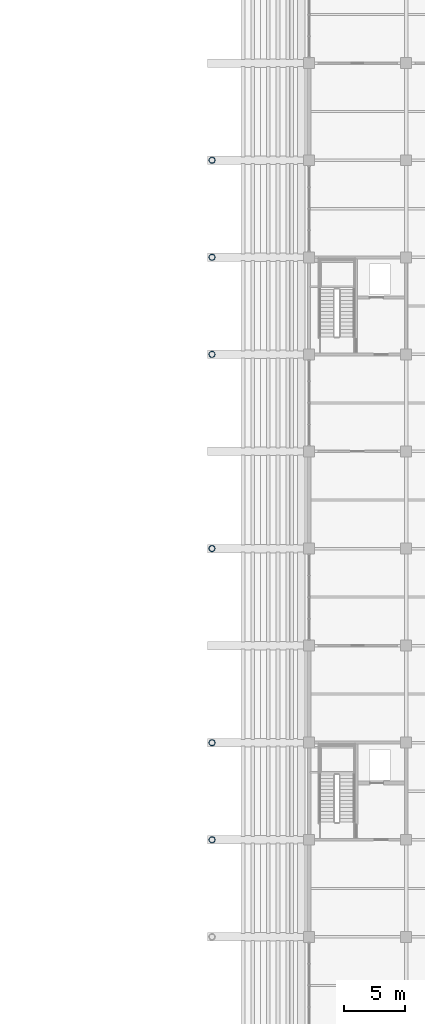
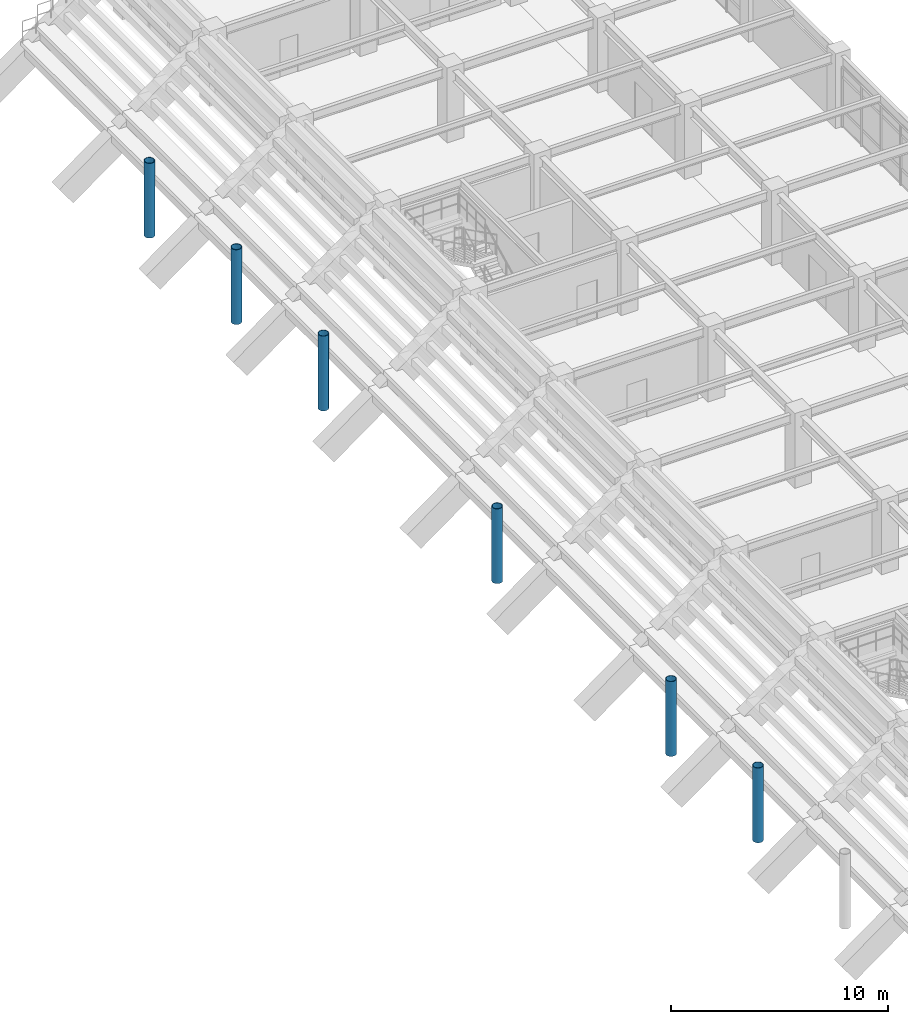
# One storey, part 6 of 118: 6 columns.
"""IFC4 building model written with IfcOpenShell, lengths in metres."""

from ifc_helpers import new_model, si_unit, direction, frame, origin, origin_2d, place, context, subcontext, project, spatial, hollow_circle, extrude, material, material_profile, profile_set, type_object, element, save


model = new_model("IFC4")

# Units and contexts
model_context = context("Model", 3, precision=1e-05, world=origin(), true_north=direction((0.0, 1.0)))
body_context = subcontext(model_context, "Body", "Model", "MODEL_VIEW")
ifc_project = project(units=[si_unit("LENGTHUNIT", "METRE"), si_unit("AREAUNIT", "SQUARE_METRE"), si_unit("VOLUMEUNIT", "CUBIC_METRE"), si_unit("PLANEANGLEUNIT", "RADIAN"), si_unit("MASSUNIT", "GRAM", prefix="KILO")], contexts=[model_context])

# Site, building, storey
site_placement = place(None, origin())
site = spatial("IfcSite", under=ifc_project, at=site_placement, CompositionType="ELEMENT")
building_placement = place(site_placement, origin())
building = spatial("IfcBuilding", under=site, at=building_placement, Name="Haebicheon Civic Stadium", CompositionType="ELEMENT")
storey_placement = place(building_placement, frame((0.0, 0.0, 14.39990234375)))
storey = spatial("IfcBuildingStorey", under=building, at=storey_placement, Name="L04", CompositionType="ELEMENT", Elevation=14.39990234375)

# Columns
ifc_material = material(Name="White painted steel SM490", Category="steel")
ifc_material_profile = material_profile(ifc_material, hollow_circle(Radius=0.25390625, WallThickness=0.02490234375, at=origin_2d()), Name="CHS-508.0x25.0")
ifc_profile_set = profile_set([ifc_material_profile], Name="White painted steel SM490")
column_type = type_object("IfcColumnType", Name="COL-ST-CHS508", PredefinedType="COLUMN", material=ifc_profile_set)
for number, where, z_axis, x_axis, name in (
    (1, (136.0, 64.0, 0.0), (0.0, 0.0, 1.0), (1.0, 0.0, 0.0), "Bowl/canopy support column 136/64 (L04)"),
    (2, (136.0, 72.0, 0.0), (0.0, 0.0, 1.0), (1.0, 0.0, 0.0), "Bowl/canopy support column 136/72 (L04)"),
    (3, (136.0, 88.0, 0.0), (0.0, 0.0, 1.0), (1.0, 0.0, 0.0), "Bowl/canopy support column 136/88 (L04)"),
    (4, (136.0, 104.0, 0.0), (0.0, 0.0, 1.0), (1.0, 0.0, 0.0), "Bowl/canopy support column 136/104 (L04)"),
    (5, (136.0, 112.0, 0.0), (0.0, 0.0, 1.0), (1.0, 0.0, 0.0), "Bowl/canopy support column 136/112 (L04)"),
    (6, (136.0, 120.0, 0.0), (0.0, 0.0, 1.0), (1.0, 0.0, 0.0), "Bowl/canopy support column 136/120 (L04)"),
):
    element("IfcColumn", number, at=place(storey_placement, frame(where, z_axis=z_axis, x_axis=x_axis)), inside=storey, type_object=column_type, material=ifc_profile_set, Name=name, PredefinedType="COLUMN", context=body_context, shape_type="SweptSolid", body=[
        extrude(hollow_circle(Radius=0.25390625, WallThickness=0.02490234375, at=origin_2d()), origin(), (0.0, 0.0, 1.0), 4.2001953125),
    ])

save(model, "model.ifc")
